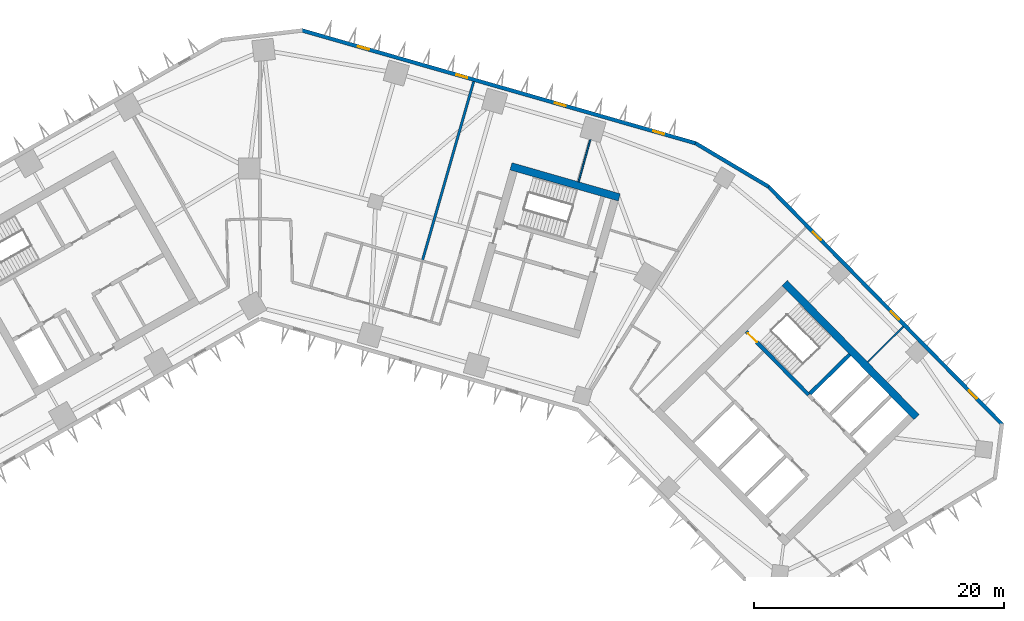
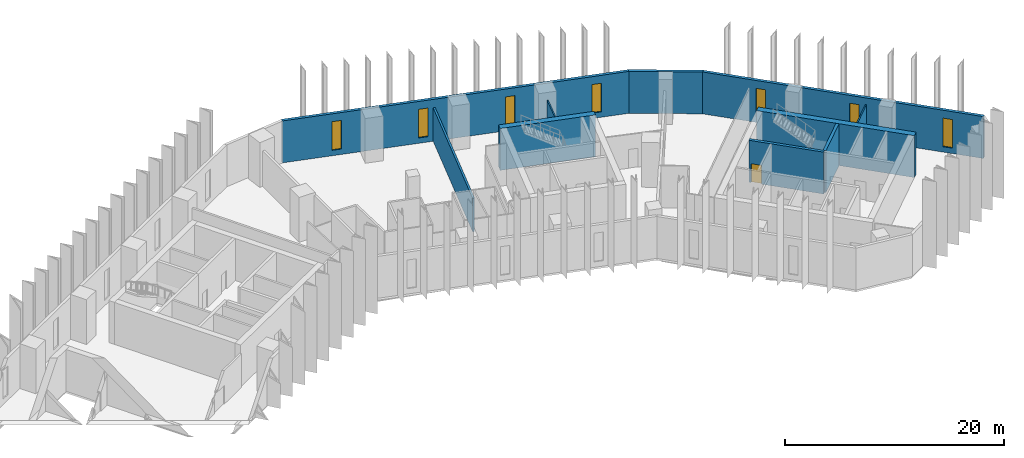
# One storey, part 7 of 11: 10 walls, 7 windows, 1 door, 8 openings.
"""IFC4 building model written with IfcOpenShell, lengths in metres."""

from ifc_helpers import new_model, si_unit, direction, frame, frame_2d, origin, place, context, subcontext, project, spatial, rectangle, extrude, material, layer, layer_set, type_object, element, fill, save


model = new_model("IFC4")

# Units and contexts
model_context = context("Model", 3, precision=1e-05, world=origin(), true_north=direction((0.0, 1.0)))
body_context = subcontext(model_context, "Body", "Model", "MODEL_VIEW")
ifc_project = project(units=[si_unit("LENGTHUNIT", "METRE"), si_unit("AREAUNIT", "SQUARE_METRE"), si_unit("VOLUMEUNIT", "CUBIC_METRE"), si_unit("PLANEANGLEUNIT", "RADIAN"), si_unit("MASSUNIT", "GRAM", prefix="KILO")], contexts=[model_context])

# Site, building, storey
site_placement = place(None, origin())
site = spatial("IfcSite", under=ifc_project, at=site_placement, CompositionType="ELEMENT")
building_placement = place(site_placement, origin())
building = spatial("IfcBuilding", under=site, at=building_placement, Name="Binnacle Exchange Tower", CompositionType="ELEMENT")
storey_placement = place(building_placement, frame((0.0, 0.0, 56.5)))
storey = spatial("IfcBuildingStorey", under=building, at=storey_placement, Name="L11", CompositionType="ELEMENT", Elevation=56.5)

# Walls
ifc_material_1 = material(Name="Concrete C70/85", Category="concrete")
ifc_layer_1 = layer(ifc_material_1, 0.60009765625)
ifc_layer_set_1 = layer_set([ifc_layer_1], Name="Core wall - outer 600")
wall_type_1 = type_object("IfcWallType", Name="Core wall - outer 600", PredefinedType="SOLIDWALL", material=ifc_layer_set_1)
wall_1_placement = place(storey_placement, frame((41.91650390625, 50.855712890625, 0.0), z_axis=(0.0, 0.0, 1.0), x_axis=(0.700911255944, -0.713248491965, 0.0)))
element("IfcWall", 1, at=wall_1_placement, inside=storey, type_object=wall_type_1, Name="Core wall CRWB6", PredefinedType="SOLIDWALL", context=body_context, shape_type="SweptSolid", body=[
    extrude(rectangle(XDim=15.0, YDim=0.60009765625, at=frame_2d((7.5, 0.0))), origin(), (0.0, 0.0, 1.0), 4.679931640625),
])
wall_2_placement = place(storey_placement, frame((20.052734375, 60.1796875, 0.0), z_axis=(0.0, 0.0, 1.0), x_axis=(0.96126248289, -0.275634611374, 0.0)))
element("IfcWall", 2, at=wall_2_placement, inside=storey, type_object=wall_type_1, Name="Core wall CRWD6", PredefinedType="SOLIDWALL", context=body_context, shape_type="SweptSolid", body=[
    extrude(rectangle(XDim=9.0, YDim=0.60009765625, at=frame_2d((4.5, 0.0))), origin(), (0.0, 0.0, 1.0), 4.679931640625),
])

# Wall, opening, door
ifc_layer_2 = layer(ifc_material_1, 0.300048828125)
ifc_layer_set_2 = layer_set([ifc_layer_2], Name="Core wall - stair 300")
wall_type_2 = type_object("IfcWallType", Name="Core wall - stair 300", PredefinedType="SOLIDWALL", material=ifc_layer_set_2)
wall_3_placement = place(storey_placement, frame((38.842041015625, 46.993408203125, 0.0), z_axis=(0.0, 0.0, 1.0), x_axis=(0.700907701701, -0.713251984713, 0.0)))
wall_3 = element("IfcWall", 3, at=wall_3_placement, inside=storey, type_object=wall_type_2, Name="Core wall CRWB4", PredefinedType="SOLIDWALL", context=body_context, shape_type="SweptSolid", body=[
    extrude(rectangle(XDim=7.10009765625, YDim=0.300048828125, at=frame_2d((3.550048828125, 0.0))), origin(), (0.0, 0.0, 1.0), 4.679931640625),
])
opening_1_placement = place(wall_3_placement, frame((0.199951171875, 0.0, 0.0)))
opening_1 = element("IfcOpeningElement", 4, at=opening_1_placement, cuts=wall_3, Name="Opening DB1", PredefinedType="OPENING", context=body_context, shape_type="SweptSolid", body=[
    extrude(rectangle(XDim=1.0, YDim=2.10009765625, at=frame_2d((0.5, 1.050048828125))), frame((0.0, 0.159912109375, 0.0), z_axis=(0.0, -1.0, 0.0), x_axis=(1.0, 0.0, 0.0)), (0.0, 0.0, 1.0), 0.320068359375),
])
ifc_material_2 = material(Name="Steel door leaf", Category="steel")
door_type = type_object("IfcDoorType", Name="Fire door 1000", OperationType="NOTDEFINED", PredefinedType="DOOR", material=ifc_material_2)
door_placement = place(opening_1_placement, origin())
door = element("IfcDoor", 5, at=door_placement, inside=storey, type_object=door_type, Name="Stair door ST-B1", OperationType="SINGLE_SWING_LEFT", OverallHeight=2.10009765625, OverallWidth=1.0, PredefinedType="DOOR", context=body_context, shape_type="SweptSolid", body=[
    extrude(rectangle(XDim=1.0, YDim=2.10009765625, at=frame_2d((0.5, 1.050048828125))), frame((0.0, 0.02490234375, 0.0), z_axis=(0.0, -1.0, 0.0), x_axis=(1.0, 0.0, 0.0)), (0.0, 0.0, 1.0), 0.050048828125),
])
fill(opening_1, door)

# Walls
wall_4_placement = place(storey_placement, frame((43.925537109375, 42.034423828125, 0.0), z_axis=(0.0, 0.0, 1.0), x_axis=(0.713251741427, 0.700907949271, 0.0)))
element("IfcWall", 6, at=wall_4_placement, inside=storey, type_object=wall_type_2, Name="Core wall CRWB11", PredefinedType="SOLIDWALL", context=body_context, shape_type="SweptSolid", body=[
    extrude(rectangle(XDim=4.4501953125, YDim=0.300048828125, at=frame_2d((2.22509765625, 0.0))), origin(), (0.0, 0.0, 1.0), 4.679931640625),
])
ifc_material_3 = material(Name="Bronze aluminium cladding", Category="aluminium")
ifc_layer_3 = layer(ifc_material_3, 0.300048828125)
ifc_layer_set_3 = layer_set([ifc_layer_3], Name="External wall - spandrel 300")
wall_type_3 = type_object("IfcWallType", Name="External wall - spandrel 300", PredefinedType="STANDARD", material=ifc_layer_set_3)
wall_5_placement = place(storey_placement, frame((34.773193359375, 62.0341796875, 0.0), z_axis=(0.0, 0.0, 1.0), x_axis=(0.859401317772, -0.511301647769, 0.0)))
element("IfcWall", 7, at=wall_5_placement, inside=storey, type_object=wall_type_3, Name="External wall EW-F00 L11", PredefinedType="STANDARD", context=body_context, shape_type="SweptSolid", body=[
    extrude(rectangle(XDim=6.80810546875, YDim=0.300048828125, at=frame_2d((3.404052734375, 0.0))), origin(), (0.0, 0.0, 1.0), 4.679931640625),
])

# Wall, openings, windows
wall_6_placement = place(storey_placement, frame((3.33544921875, 71.043701171875, 0.0), z_axis=(0.0, 0.0, 1.0), x_axis=(0.961260130989, -0.275642813387, 0.0)))
wall_6 = element("IfcWall", 8, at=wall_6_placement, inside=storey, type_object=wall_type_3, Name="External wall EW-F01 L11", PredefinedType="STANDARD", context=body_context, shape_type="SweptSolid", body=[
    extrude(rectangle(XDim=32.7412109375, YDim=0.300048828125, at=frame_2d((16.37060546875, 0.0))), origin(), (0.0, 0.0, 1.0), 4.679931640625),
])
opening_2_placement = place(wall_6_placement, frame((29.20703125, 0.0, 0.60009765625)))
opening_2 = element("IfcOpeningElement", 9, at=opening_2_placement, cuts=wall_6, Name="Opening WS1", PredefinedType="OPENING", context=body_context, shape_type="SweptSolid", body=[
    extrude(rectangle(XDim=0.89990234375, YDim=3.199951171875, at=frame_2d((0.449951171875, 1.60009765625))), frame((0.0, 0.159912109375, 0.0), z_axis=(0.0, -1.0, 0.0), x_axis=(1.0, 0.0, 0.0)), (0.0, 0.0, 1.0), 0.320068359375),
])
opening_3_placement = place(wall_6_placement, frame((21.0341796875, 0.0, 0.60009765625)))
opening_3 = element("IfcOpeningElement", 10, at=opening_3_placement, cuts=wall_6, Name="Opening WS1", PredefinedType="OPENING", context=body_context, shape_type="SweptSolid", body=[
    extrude(rectangle(XDim=0.89990234375, YDim=3.199951171875, at=frame_2d((0.449951171875, 1.60009765625))), frame((0.0, 0.159912109375, 0.0), z_axis=(0.0, -1.0, 0.0), x_axis=(1.0, 0.0, 0.0)), (0.0, 0.0, 1.0), 0.320068359375),
])
opening_4_placement = place(wall_6_placement, frame((12.861083984375, 0.0, 0.60009765625)))
opening_4 = element("IfcOpeningElement", 11, at=opening_4_placement, cuts=wall_6, Name="Opening WS1", PredefinedType="OPENING", context=body_context, shape_type="SweptSolid", body=[
    extrude(rectangle(XDim=0.89990234375, YDim=3.199951171875, at=frame_2d((0.449951171875, 1.60009765625))), frame((0.0, 0.159912109375, 0.0), z_axis=(0.0, -1.0, 0.0), x_axis=(1.0, 0.0, 0.0)), (0.0, 0.0, 1.0), 0.320068359375),
])
opening_5_placement = place(wall_6_placement, frame((4.688232421875, 0.0, 0.60009765625)))
opening_5 = element("IfcOpeningElement", 12, at=opening_5_placement, cuts=wall_6, Name="Opening WS1", PredefinedType="OPENING", context=body_context, shape_type="SweptSolid", body=[
    extrude(rectangle(XDim=0.89990234375, YDim=3.199951171875, at=frame_2d((0.449951171875, 1.60009765625))), frame((0.0, 0.159912109375, 0.0), z_axis=(0.0, -1.0, 0.0), x_axis=(1.0, 0.0, 0.0)), (0.0, 0.0, 1.0), 0.320068359375),
])
ifc_material_4 = material(Name="Bronze anodised aluminium frame", Category="aluminium")
window_type = type_object("IfcWindowType", Name="WS1 WINDOW 900x3200", PartitioningType="SINGLE_PANEL", PredefinedType="WINDOW", material=ifc_material_4)
window_1_placement = place(opening_2_placement, origin())
window_1 = element("IfcWindow", 13, at=window_1_placement, inside=storey, type_object=window_type, Name="Window WS1 L11", OverallHeight=3.199951171875, OverallWidth=0.89990234375, PartitioningType="SINGLE_PANEL", PredefinedType="WINDOW", context=body_context, shape_type="SweptSolid", body=[
    extrude(rectangle(XDim=0.89990234375, YDim=3.199951171875, at=frame_2d((0.449951171875, 1.60009765625))), frame((0.0, 0.030029296875, 0.0), z_axis=(0.0, -1.0, 0.0), x_axis=(1.0, 0.0, 0.0)), (0.0, 0.0, 1.0), 0.06005859375),
])
fill(opening_2, window_1)
window_2_placement = place(opening_3_placement, origin())
window_2 = element("IfcWindow", 14, at=window_2_placement, inside=storey, type_object=window_type, Name="Window WS1 L11", OverallHeight=3.199951171875, OverallWidth=0.89990234375, PartitioningType="SINGLE_PANEL", PredefinedType="WINDOW", context=body_context, shape_type="SweptSolid", body=[
    extrude(rectangle(XDim=0.89990234375, YDim=3.199951171875, at=frame_2d((0.449951171875, 1.60009765625))), frame((0.0, 0.030029296875, 0.0), z_axis=(0.0, -1.0, 0.0), x_axis=(1.0, 0.0, 0.0)), (0.0, 0.0, 1.0), 0.06005859375),
])
fill(opening_3, window_2)
window_3_placement = place(opening_4_placement, origin())
window_3 = element("IfcWindow", 15, at=window_3_placement, inside=storey, type_object=window_type, Name="Window WS1 L11", OverallHeight=3.199951171875, OverallWidth=0.89990234375, PartitioningType="SINGLE_PANEL", PredefinedType="WINDOW", context=body_context, shape_type="SweptSolid", body=[
    extrude(rectangle(XDim=0.89990234375, YDim=3.199951171875, at=frame_2d((0.449951171875, 1.60009765625))), frame((0.0, 0.030029296875, 0.0), z_axis=(0.0, -1.0, 0.0), x_axis=(1.0, 0.0, 0.0)), (0.0, 0.0, 1.0), 0.06005859375),
])
fill(opening_4, window_3)
window_4_placement = place(opening_5_placement, origin())
window_4 = element("IfcWindow", 16, at=window_4_placement, inside=storey, type_object=window_type, Name="Window WS1 L11", OverallHeight=3.199951171875, OverallWidth=0.89990234375, PartitioningType="SINGLE_PANEL", PredefinedType="WINDOW", context=body_context, shape_type="SweptSolid", body=[
    extrude(rectangle(XDim=0.89990234375, YDim=3.199951171875, at=frame_2d((0.449951171875, 1.60009765625))), frame((0.0, 0.030029296875, 0.0), z_axis=(0.0, -1.0, 0.0), x_axis=(1.0, 0.0, 0.0)), (0.0, 0.0, 1.0), 0.06005859375),
])
fill(opening_5, window_4)

wall_7_placement = place(storey_placement, frame((40.59375, 58.576904296875, 0.0), z_axis=(0.0, 0.0, 1.0), x_axis=(0.700909719808, -0.713250001528, 0.0)))
wall_7 = element("IfcWall", 17, at=wall_7_placement, inside=storey, type_object=wall_type_3, Name="External wall EW-F13 L11", PredefinedType="STANDARD", context=body_context, shape_type="SweptSolid", body=[
    extrude(rectangle(XDim=26.70849609375, YDim=0.300048828125, at=frame_2d((13.354248046875, 0.0))), origin(), (0.0, 0.0, 1.0), 4.679931640625),
])
opening_6_placement = place(wall_7_placement, frame((22.8583984375, 0.0, 0.60009765625)))
opening_6 = element("IfcOpeningElement", 18, at=opening_6_placement, cuts=wall_7, Name="Opening WS1", PredefinedType="OPENING", context=body_context, shape_type="SweptSolid", body=[
    extrude(rectangle(XDim=0.89990234375, YDim=3.199951171875, at=frame_2d((0.449951171875, 1.60009765625))), frame((0.0, 0.159912109375, 0.0), z_axis=(0.0, -1.0, 0.0), x_axis=(1.0, 0.0, 0.0)), (0.0, 0.0, 1.0), 0.320068359375),
])
opening_7_placement = place(wall_7_placement, frame((13.986572265625, 0.0, 0.60009765625)))
opening_7 = element("IfcOpeningElement", 19, at=opening_7_placement, cuts=wall_7, Name="Opening WS1", PredefinedType="OPENING", context=body_context, shape_type="SweptSolid", body=[
    extrude(rectangle(XDim=0.89990234375, YDim=3.199951171875, at=frame_2d((0.449951171875, 1.60009765625))), frame((0.0, 0.159912109375, 0.0), z_axis=(0.0, -1.0, 0.0), x_axis=(1.0, 0.0, 0.0)), (0.0, 0.0, 1.0), 0.320068359375),
])
opening_8_placement = place(wall_7_placement, frame((5.114501953125, 0.0, 0.60009765625)))
opening_8 = element("IfcOpeningElement", 20, at=opening_8_placement, cuts=wall_7, Name="Opening WS1", PredefinedType="OPENING", context=body_context, shape_type="SweptSolid", body=[
    extrude(rectangle(XDim=0.89990234375, YDim=3.199951171875, at=frame_2d((0.449951171875, 1.60009765625))), frame((0.0, 0.159912109375, 0.0), z_axis=(0.0, -1.0, 0.0), x_axis=(1.0, 0.0, 0.0)), (0.0, 0.0, 1.0), 0.320068359375),
])
window_5_placement = place(opening_6_placement, origin())
window_5 = element("IfcWindow", 21, at=window_5_placement, inside=storey, type_object=window_type, Name="Window WS1 L11", OverallHeight=3.199951171875, OverallWidth=0.89990234375, PartitioningType="SINGLE_PANEL", PredefinedType="WINDOW", context=body_context, shape_type="SweptSolid", body=[
    extrude(rectangle(XDim=0.89990234375, YDim=3.199951171875, at=frame_2d((0.449951171875, 1.60009765625))), frame((0.0, 0.030029296875, 0.0), z_axis=(0.0, -1.0, 0.0), x_axis=(1.0, 0.0, 0.0)), (0.0, 0.0, 1.0), 0.06005859375),
])
fill(opening_6, window_5)
window_6_placement = place(opening_7_placement, origin())
window_6 = element("IfcWindow", 22, at=window_6_placement, inside=storey, type_object=window_type, Name="Window WS1 L11", OverallHeight=3.199951171875, OverallWidth=0.89990234375, PartitioningType="SINGLE_PANEL", PredefinedType="WINDOW", context=body_context, shape_type="SweptSolid", body=[
    extrude(rectangle(XDim=0.89990234375, YDim=3.199951171875, at=frame_2d((0.449951171875, 1.60009765625))), frame((0.0, 0.030029296875, 0.0), z_axis=(0.0, -1.0, 0.0), x_axis=(1.0, 0.0, 0.0)), (0.0, 0.0, 1.0), 0.06005859375),
])
fill(opening_7, window_6)
window_7_placement = place(opening_8_placement, origin())
window_7 = element("IfcWindow", 23, at=window_7_placement, inside=storey, type_object=window_type, Name="Window WS1 L11", OverallHeight=3.199951171875, OverallWidth=0.89990234375, PartitioningType="SINGLE_PANEL", PredefinedType="WINDOW", context=body_context, shape_type="SweptSolid", body=[
    extrude(rectangle(XDim=0.89990234375, YDim=3.199951171875, at=frame_2d((0.449951171875, 1.60009765625))), frame((0.0, 0.030029296875, 0.0), z_axis=(0.0, -1.0, 0.0), x_axis=(1.0, 0.0, 0.0)), (0.0, 0.0, 1.0), 0.06005859375),
])
fill(opening_8, window_7)

# Walls
ifc_material_5 = material(Name="Masonry block wall", Category="masonry")
ifc_layer_4 = layer(ifc_material_5, 0.199951171875)
ifc_layer_set_4 = layer_set([ifc_layer_4], Name="Fire wall - block 200")
wall_type_4 = type_object("IfcWallType", Name="Fire wall - block 200", PredefinedType="PARTITIONING", material=ifc_layer_set_4)
wall_8_placement = place(storey_placement, frame((12.97412109375, 52.638916015625, 0.0), z_axis=(0.0, 0.0, 1.0), x_axis=(0.275299463768, 0.961358520662, 0.0)))
element("IfcWall", 24, at=wall_8_placement, inside=storey, type_object=wall_type_4, Name="Partition W27", PredefinedType="PARTITIONING", context=body_context, shape_type="SweptSolid", body=[
    extrude(rectangle(XDim=14.88525390625, YDim=0.199951171875, at=frame_2d((7.442626953125, 0.0))), origin(), (0.0, 0.0, 1.0), 3.741943359375),
])
ifc_material_6 = material(Name="Gypsum partition")
ifc_layer_5 = layer(ifc_material_6, 0.125)
ifc_layer_set_5 = layer_set([ifc_layer_5], Name="Partition 125")
wall_type_5 = type_object("IfcWallType", Name="Partition 125", PredefinedType="PARTITIONING", material=ifc_layer_set_5)
wall_9_placement = place(storey_placement, frame((25.445068359375, 58.946044921875, 0.0), z_axis=(0.0, 0.0, 1.0), x_axis=(0.268850353538, 0.963181959654, 0.0)))
element("IfcWall", 25, at=wall_9_placement, inside=storey, type_object=wall_type_5, Name="Partition W34", PredefinedType="PARTITIONING", context=body_context, shape_type="SweptSolid", body=[
    extrude(rectangle(XDim=3.4853515625, YDim=0.125, at=frame_2d((1.74267578125, 0.0))), origin(), (0.0, 0.0, 1.0), 4.154052734375),
])
wall_10_placement = place(storey_placement, frame((48.533935546875, 44.549072265625, 0.0), z_axis=(0.0, 0.0, 1.0), x_axis=(0.709108443911, 0.70509943609, 0.0)))
element("IfcWall", 26, at=wall_10_placement, inside=storey, type_object=wall_type_5, Name="Partition W45", PredefinedType="PARTITIONING", context=body_context, shape_type="SweptSolid", body=[
    extrude(rectangle(XDim=4.019287109375, YDim=0.125, at=frame_2d((2.009765625, 0.0))), origin(), (0.0, 0.0, 1.0), 3.9599609375),
])

save(model, "model.ifc")
